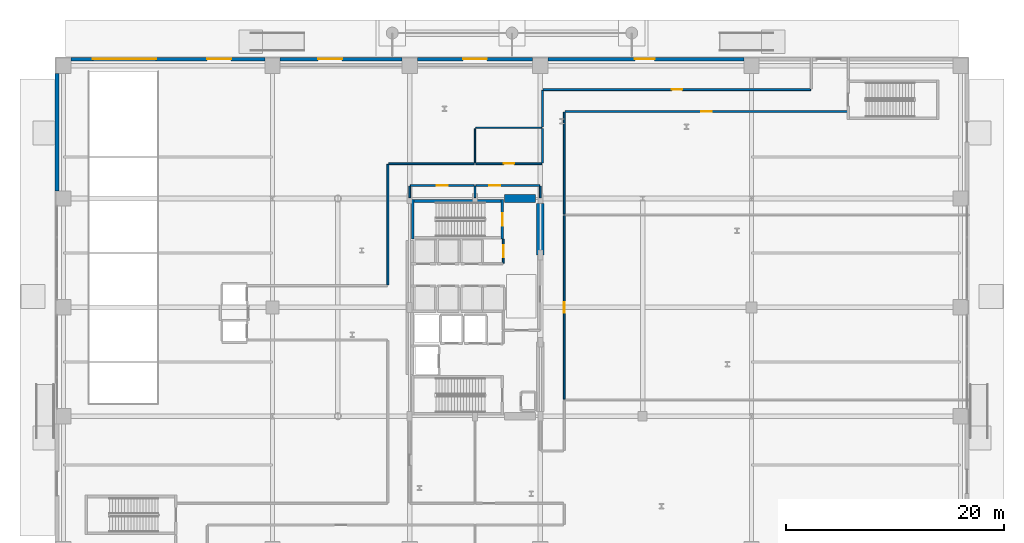
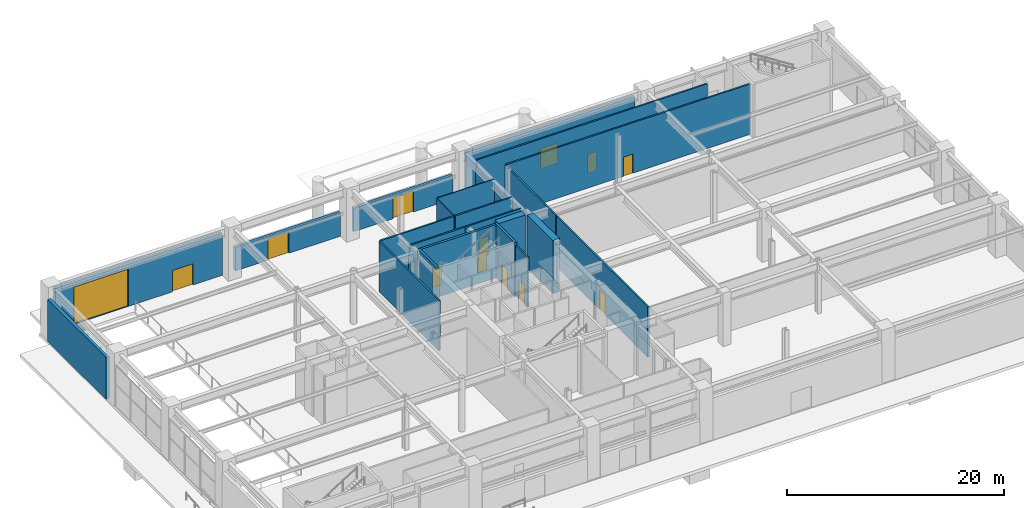
# One storey, part 22 of 31: 27 walls, 13 doors, 13 openings.
"""IFC4 building model written with IfcOpenShell, lengths in metres."""

from ifc_helpers import new_model, si_unit, direction, frame, frame_2d, origin, place, context, subcontext, project, spatial, rectangle, extrude, material, layer, layer_set, type_object, element, fill, save


model = new_model("IFC4")

# Units and contexts
model_context = context("Model", 3, precision=1e-05, world=origin(), true_north=direction((0.0, 1.0)))
body_context = subcontext(model_context, "Body", "Model", "MODEL_VIEW")
ifc_project = project(units=[si_unit("LENGTHUNIT", "METRE"), si_unit("AREAUNIT", "SQUARE_METRE"), si_unit("VOLUMEUNIT", "CUBIC_METRE"), si_unit("PLANEANGLEUNIT", "RADIAN"), si_unit("MASSUNIT", "GRAM", prefix="KILO")], contexts=[model_context])

# Site, building, storey
site_placement = place(None, origin())
site = spatial("IfcSite", under=ifc_project, at=site_placement, CompositionType="ELEMENT")
building_placement = place(site_placement, origin())
building = spatial("IfcBuilding", under=site, at=building_placement, Name="Soratama Intermodal Tower", CompositionType="ELEMENT")
storey_placement = place(building_placement, origin())
storey = spatial("IfcBuildingStorey", under=building, at=storey_placement, Name="L00", CompositionType="ELEMENT", Elevation=0.0)

# Wall, openings, doors
ifc_material_1 = material(Name="Concrete f'c 42 MPa", Category="concrete")
ifc_layer_1 = layer(ifc_material_1, 0.340087890625)
ifc_layer_set_1 = layer_set([ifc_layer_1], Name="Concrete f'c 42 MPa")
wall_type_1 = type_object("IfcWallType", Name="EW-STONE-340", PredefinedType="SOLIDWALL", material=ifc_layer_set_1)
wall_1_placement = place(storey_placement, frame((1.5, 47.800048828125, 0.0), z_axis=(0.0, 0.0, 1.0), x_axis=(1.0, 0.0, 0.0)))
wall_1 = element("IfcWall", 1, at=wall_1_placement, inside=storey, type_object=wall_type_1, Name="L00 North West Facade Wall", PredefinedType="SOLIDWALL", context=body_context, shape_type="SweptSolid", body=[
    extrude(rectangle(XDim=17.800048828125, YDim=0.340087890625, at=frame_2d((8.89990234375, 0.0))), origin(), (0.0, 0.0, 1.0), 4.736083984375),
])
opening_1_placement = place(wall_1_placement, frame((2.0, 0.0, 0.0)))
opening_1 = element("IfcOpeningElement", 2, at=opening_1_placement, cuts=wall_1, Name="Opening VG-1", PredefinedType="OPENING", context=body_context, shape_type="SweptSolid", body=[
    extrude(rectangle(XDim=5.800048828125, YDim=4.199951171875, at=frame_2d((2.89990234375, 2.10009765625))), frame((0.0, 0.179931640625, 0.0), z_axis=(0.0, -1.0, 0.0), x_axis=(1.0, 0.0, 0.0)), (0.0, 0.0, 1.0), 0.360107421875),
])
opening_2_placement = place(wall_1_placement, frame((12.5, 0.0, 0.0)))
opening_2 = element("IfcOpeningElement", 3, at=opening_2_placement, cuts=wall_1, Name="Opening ED-1", PredefinedType="OPENING", context=body_context, shape_type="SweptSolid", body=[
    extrude(rectangle(XDim=2.199951171875, YDim=2.39990234375, at=frame_2d((1.10009765625, 1.199951171875))), frame((0.0, 0.179931640625, 0.0), z_axis=(0.0, -1.0, 0.0), x_axis=(1.0, 0.0, 0.0)), (0.0, 0.0, 1.0), 0.360107421875),
])
ifc_material_2 = material(Name="Double-glazed aluminium door", Category="aluminium")
door_type_1 = type_object("IfcDoorType", Name="DR-EXIT-2200", OperationType="NOTDEFINED", PredefinedType="DOOR", material=ifc_material_2)
door_1_placement = place(opening_2_placement, origin())
door_1 = element("IfcDoor", 4, at=door_1_placement, inside=storey, type_object=door_type_1, Name="L00 North Concourse Exit Door 1", OperationType="SINGLE_SWING_LEFT", OverallHeight=2.39990234375, OverallWidth=2.199951171875, PredefinedType="DOOR", context=body_context, shape_type="SweptSolid", body=[
    extrude(rectangle(XDim=2.199951171875, YDim=2.39990234375, at=frame_2d((1.10009765625, 1.199951171875))), frame((0.0, 0.02490234375, 0.0), z_axis=(0.0, -1.0, 0.0), x_axis=(1.0, 0.0, 0.0)), (0.0, 0.0, 1.0), 0.050048828125),
])
fill(opening_2, door_1)
ifc_material_3 = material(Name="Insulated steel roller shutter", Category="steel")
door_type_2 = type_object("IfcDoorType", Name="DR-VEH-GATE", OperationType="NOTDEFINED", PredefinedType="GATE", material=ifc_material_3)
door_2_placement = place(opening_1_placement, origin())
door_2 = element("IfcDoor", 5, at=door_2_placement, inside=storey, type_object=door_type_2, Name="L00 Servicing Ramp Shutter Gate VG-01", OperationType="SINGLE_SWING_LEFT", OverallHeight=4.199951171875, OverallWidth=5.800048828125, PredefinedType="GATE", context=body_context, shape_type="SweptSolid", body=[
    extrude(rectangle(XDim=5.800048828125, YDim=4.199951171875, at=frame_2d((2.89990234375, 2.10009765625))), frame((0.0, 0.02490234375, 0.0), z_axis=(0.0, -1.0, 0.0), x_axis=(1.0, 0.0, 0.0)), (0.0, 0.0, 1.0), 0.050048828125),
])
fill(opening_1, door_2)

# Wall, opening, door
wall_2_placement = place(storey_placement, frame((20.699951171875, 47.800048828125, 0.0), z_axis=(0.0, 0.0, 1.0), x_axis=(1.0, 0.0, 0.0)))
wall_2 = element("IfcWall", 6, at=wall_2_placement, inside=storey, type_object=wall_type_1, Name="L00 North Mid-West Facade Wall", PredefinedType="SOLIDWALL", context=body_context, shape_type="SweptSolid", body=[
    extrude(rectangle(XDim=11.199951171875, YDim=0.340087890625, at=frame_2d((5.60009765625, 0.0))), origin(), (0.0, 0.0, 1.0), 2.639892578125),
])
opening_3_placement = place(wall_2_placement, frame((3.5, 0.0, 0.0)))
opening_3 = element("IfcOpeningElement", 7, at=opening_3_placement, cuts=wall_2, Name="Opening ED-1", PredefinedType="OPENING", context=body_context, shape_type="SweptSolid", body=[
    extrude(rectangle(XDim=2.199951171875, YDim=2.39990234375, at=frame_2d((1.10009765625, 1.199951171875))), frame((0.0, 0.179931640625, 0.0), z_axis=(0.0, -1.0, 0.0), x_axis=(1.0, 0.0, 0.0)), (0.0, 0.0, 1.0), 0.360107421875),
])
door_3_placement = place(opening_3_placement, origin())
door_3 = element("IfcDoor", 8, at=door_3_placement, inside=storey, type_object=door_type_1, Name="L00 North Concourse Exit Door 2", OperationType="SINGLE_SWING_LEFT", OverallHeight=2.39990234375, OverallWidth=2.199951171875, PredefinedType="DOOR", context=body_context, shape_type="SweptSolid", body=[
    extrude(rectangle(XDim=2.199951171875, YDim=2.39990234375, at=frame_2d((1.10009765625, 1.199951171875))), frame((0.0, 0.02490234375, 0.0), z_axis=(0.0, -1.0, 0.0), x_axis=(1.0, 0.0, 0.0)), (0.0, 0.0, 1.0), 0.050048828125),
])
fill(opening_3, door_3)

wall_3_placement = place(storey_placement, frame((33.300048828125, 47.800048828125, 0.0), z_axis=(0.0, 0.0, 1.0), x_axis=(1.0, 0.0, 0.0)))
wall_3 = element("IfcWall", 9, at=wall_3_placement, inside=storey, type_object=wall_type_1, Name="L00 North Main Entrance Wall", PredefinedType="SOLIDWALL", context=body_context, shape_type="SweptSolid", body=[
    extrude(rectangle(XDim=10.599853515625, YDim=0.340087890625, at=frame_2d((5.2998046875, 0.0))), origin(), (0.0, 0.0, 1.0), 2.639892578125),
])
opening_4_placement = place(wall_3_placement, frame((4.199951171875, 0.0, 0.0)))
opening_4 = element("IfcOpeningElement", 10, at=opening_4_placement, cuts=wall_3, Name="Opening ED-1", PredefinedType="OPENING", context=body_context, shape_type="SweptSolid", body=[
    extrude(rectangle(XDim=2.199951171875, YDim=2.39990234375, at=frame_2d((1.10009765625, 1.199951171875))), frame((0.0, 0.179931640625, 0.0), z_axis=(0.0, -1.0, 0.0), x_axis=(1.0, 0.0, 0.0)), (0.0, 0.0, 1.0), 0.360107421875),
])
door_4_placement = place(opening_4_placement, origin())
door_4 = element("IfcDoor", 11, at=door_4_placement, inside=storey, type_object=door_type_1, Name="L00 Tower Main Entrance Door", OperationType="SINGLE_SWING_LEFT", OverallHeight=2.39990234375, OverallWidth=2.199951171875, PredefinedType="DOOR", context=body_context, shape_type="SweptSolid", body=[
    extrude(rectangle(XDim=2.199951171875, YDim=2.39990234375, at=frame_2d((1.10009765625, 1.199951171875))), frame((0.0, 0.02490234375, 0.0), z_axis=(0.0, -1.0, 0.0), x_axis=(1.0, 0.0, 0.0)), (0.0, 0.0, 1.0), 0.050048828125),
])
fill(opening_4, door_4)

wall_4_placement = place(storey_placement, frame((45.300048828125, 47.800048828125, 0.0), z_axis=(0.0, 0.0, 1.0), x_axis=(1.0, 0.0, 0.0)))
wall_4 = element("IfcWall", 12, at=wall_4_placement, inside=storey, type_object=wall_type_1, Name="L00 North Retail Facade Wall", PredefinedType="SOLIDWALL", context=body_context, shape_type="SweptSolid", body=[
    extrude(rectangle(XDim=18.0, YDim=0.340087890625, at=frame_2d((9.0, 0.0))), origin(), (0.0, 0.0, 1.0), 4.736083984375),
])
opening_5_placement = place(wall_4_placement, frame((8.0, 0.0, 0.0)))
opening_5 = element("IfcOpeningElement", 13, at=opening_5_placement, cuts=wall_4, Name="Opening ED-4", PredefinedType="OPENING", context=body_context, shape_type="SweptSolid", body=[
    extrude(rectangle(XDim=1.800048828125, YDim=2.300048828125, at=frame_2d((0.89990234375, 1.14990234375))), frame((0.0, 0.179931640625, 0.0), z_axis=(0.0, -1.0, 0.0), x_axis=(1.0, 0.0, 0.0)), (0.0, 0.0, 1.0), 0.360107421875),
])
ifc_material_4 = material(Name="Double-glazed aluminium door", Category="aluminium")
door_type_3 = type_object("IfcDoorType", Name="DR-EXIT-1800", OperationType="NOTDEFINED", PredefinedType="DOOR", material=ifc_material_4)
door_5_placement = place(opening_5_placement, origin())
door_5 = element("IfcDoor", 14, at=door_5_placement, inside=storey, type_object=door_type_3, Name="L00 North Boutique Entrance Door", OperationType="SINGLE_SWING_LEFT", OverallHeight=2.300048828125, OverallWidth=1.800048828125, PredefinedType="DOOR", context=body_context, shape_type="SweptSolid", body=[
    extrude(rectangle(XDim=1.800048828125, YDim=2.300048828125, at=frame_2d((0.89990234375, 1.14990234375))), frame((0.0, 0.02490234375, 0.0), z_axis=(0.0, -1.0, 0.0), x_axis=(1.0, 0.0, 0.0)), (0.0, 0.0, 1.0), 0.050048828125),
])
fill(opening_5, door_5)

# Wall
wall_5_placement = place(storey_placement, frame((0.199951171875, 35.699951171875, 0.0), z_axis=(0.0, 0.0, 1.0), x_axis=(0.0, 1.0, 0.0)))
element("IfcWall", 15, at=wall_5_placement, inside=storey, type_object=wall_type_1, Name="L00 West North Wall", PredefinedType="SOLIDWALL", context=body_context, shape_type="SweptSolid", body=[
    extrude(rectangle(XDim=10.800048828125, YDim=0.340087890625, at=frame_2d((5.39990234375, 0.0))), origin(), (0.0, 0.0, 1.0), 4.736083984375),
])

# Wall, opening, door
ifc_material_5 = material(Name="Fire-rated gypsum stud partition", Category="concrete")
ifc_layer_2 = layer(ifc_material_5, 0.169921875)
ifc_layer_set_2 = layer_set([ifc_layer_2], Name="Fire-rated gypsum stud partition")
wall_type_2 = type_object("IfcWallType", Name="IW-PART-R170", PredefinedType="PARTITIONING", material=ifc_layer_set_2)
wall_6_placement = place(storey_placement, frame((72.8798828125, 43.0, 0.0), z_axis=(0.0, 0.0, 1.0), x_axis=(-1.0, 0.0, 0.0)))
wall_6 = element("IfcWall", 16, at=wall_6_placement, inside=storey, type_object=wall_type_2, Name="L00 Partition W-L00-TP003", PredefinedType="PARTITIONING", context=body_context, shape_type="SweptSolid", body=[
    extrude(rectangle(XDim=26.009765625, YDim=0.169921875, at=frame_2d((13.0048828125, 0.0))), origin(), (0.0, 0.0, 1.0), 5.679931640625),
])
opening_6_placement = place(wall_6_placement, frame((12.530029296875, 0.0, 0.0)))
opening_6 = element("IfcOpeningElement", 17, at=opening_6_placement, cuts=wall_6, Name="Opening ID-5", PredefinedType="OPENING", context=body_context, shape_type="SweptSolid", body=[
    extrude(rectangle(XDim=0.97998046875, YDim=2.14990234375, at=frame_2d((0.489990234375, 1.074951171875))), frame((0.0, 0.094970703125, 0.0), z_axis=(0.0, -1.0, 0.0), x_axis=(1.0, 0.0, 0.0)), (0.0, 0.0, 1.0), 0.18994140625),
])
ifc_material_6 = material(Name="Solid hardwood acoustic door", Category="wood")
door_type_4 = type_object("IfcDoorType", Name="DR-OFF-980", OperationType="NOTDEFINED", PredefinedType="DOOR", material=ifc_material_6)
door_6_placement = place(opening_6_placement, origin())
door_6 = element("IfcDoor", 18, at=door_6_placement, inside=storey, type_object=door_type_4, Name="L00 Door D-L00-TP001", OperationType="SINGLE_SWING_RIGHT", OverallHeight=2.14990234375, OverallWidth=0.97998046875, PredefinedType="DOOR", context=body_context, shape_type="SweptSolid", body=[
    extrude(rectangle(XDim=0.97998046875, YDim=2.14990234375, at=frame_2d((0.489990234375, 1.074951171875))), frame((0.0, 0.02490234375, 0.0), z_axis=(0.0, -1.0, 0.0), x_axis=(1.0, 0.0, 0.0)), (0.0, 0.0, 1.0), 0.050048828125),
])
fill(opening_6, door_6)

wall_7_placement = place(storey_placement, frame((44.8701171875, 45.0, 0.0), z_axis=(0.0, 0.0, 1.0), x_axis=(1.0, 0.0, 0.0)))
wall_7 = element("IfcWall", 19, at=wall_7_placement, inside=storey, type_object=wall_type_2, Name="L00 Partition W-L00-TP004", PredefinedType="PARTITIONING", context=body_context, shape_type="SweptSolid", body=[
    extrude(rectangle(XDim=24.559814453125, YDim=0.169921875, at=frame_2d((12.27978515625, 0.0))), origin(), (0.0, 0.0, 1.0), 5.679931640625),
])
opening_7_placement = place(wall_7_placement, frame((11.804931640625, 0.0, 0.0)))
opening_7 = element("IfcOpeningElement", 20, at=opening_7_placement, cuts=wall_7, Name="Opening ID-5", PredefinedType="OPENING", context=body_context, shape_type="SweptSolid", body=[
    extrude(rectangle(XDim=0.97998046875, YDim=2.14990234375, at=frame_2d((0.489990234375, 1.074951171875))), frame((0.0, 0.094970703125, 0.0), z_axis=(0.0, -1.0, 0.0), x_axis=(1.0, 0.0, 0.0)), (0.0, 0.0, 1.0), 0.18994140625),
])
door_7_placement = place(opening_7_placement, origin())
door_7 = element("IfcDoor", 21, at=door_7_placement, inside=storey, type_object=door_type_4, Name="L00 Door D-L00-TP002", OperationType="SINGLE_SWING_LEFT", OverallHeight=2.14990234375, OverallWidth=0.97998046875, PredefinedType="DOOR", context=body_context, shape_type="SweptSolid", body=[
    extrude(rectangle(XDim=0.97998046875, YDim=2.14990234375, at=frame_2d((0.489990234375, 1.074951171875))), frame((0.0, 0.02490234375, 0.0), z_axis=(0.0, -1.0, 0.0), x_axis=(1.0, 0.0, 0.0)), (0.0, 0.0, 1.0), 0.050048828125),
])
fill(opening_7, door_7)

wall_8_placement = place(storey_placement, frame((46.800048828125, 33.429931640625, 0.0), z_axis=(0.0, 0.0, 1.0), x_axis=(0.0, -1.0, 0.0)))
wall_8 = element("IfcWall", 22, at=wall_8_placement, inside=storey, type_object=wall_type_2, Name="L00 Partition W-L00-TP007", PredefinedType="PARTITIONING", context=body_context, shape_type="SweptSolid", body=[
    extrude(rectangle(XDim=16.85986328125, YDim=0.169921875, at=frame_2d((8.429931640625, 0.0))), origin(), (0.0, 0.0, 1.0), 5.679931640625),
])
opening_8_placement = place(wall_8_placement, frame((7.955078125, 0.0, 0.0)))
opening_8 = element("IfcOpeningElement", 23, at=opening_8_placement, cuts=wall_8, Name="Opening ID-5", PredefinedType="OPENING", context=body_context, shape_type="SweptSolid", body=[
    extrude(rectangle(XDim=0.97998046875, YDim=2.14990234375, at=frame_2d((0.489990234375, 1.074951171875))), frame((0.0, 0.094970703125, 0.0), z_axis=(0.0, -1.0, 0.0), x_axis=(1.0, 0.0, 0.0)), (0.0, 0.0, 1.0), 0.18994140625),
])
door_8_placement = place(opening_8_placement, origin())
door_8 = element("IfcDoor", 24, at=door_8_placement, inside=storey, type_object=door_type_4, Name="L00 Door D-L00-TP004", OperationType="SINGLE_SWING_LEFT", OverallHeight=2.14990234375, OverallWidth=0.97998046875, PredefinedType="DOOR", context=body_context, shape_type="SweptSolid", body=[
    extrude(rectangle(XDim=0.97998046875, YDim=2.14990234375, at=frame_2d((0.489990234375, 1.074951171875))), frame((0.0, 0.02490234375, 0.0), z_axis=(0.0, -1.0, 0.0), x_axis=(1.0, 0.0, 0.0)), (0.0, 0.0, 1.0), 0.050048828125),
])
fill(opening_8, door_8)

# Walls
wall_9_placement = place(storey_placement, frame((30.60009765625, 27.070068359375, 0.0), z_axis=(0.0, 0.0, 1.0), x_axis=(0.0, 1.0, 0.0)))
element("IfcWall", 25, at=wall_9_placement, inside=storey, type_object=wall_type_2, Name="L00 Partition W-L00-TP011", PredefinedType="PARTITIONING", context=body_context, shape_type="SweptSolid", body=[
    extrude(rectangle(XDim=11.059814453125, YDim=0.169921875, at=frame_2d((5.52978515625, 0.0))), origin(), (0.0, 0.0, 1.0), 5.679931640625),
])
wall_10_placement = place(storey_placement, frame((46.800048828125, 42.929931640625, 0.0), z_axis=(0.0, 0.0, 1.0), x_axis=(0.0, -1.0, 0.0)))
element("IfcWall", 26, at=wall_10_placement, inside=storey, type_object=wall_type_2, Name="L00 Partition W-L00-TP012", PredefinedType="PARTITIONING", context=body_context, shape_type="SweptSolid", body=[
    extrude(rectangle(XDim=9.35986328125, YDim=0.169921875, at=frame_2d((4.679931640625, 0.0))), origin(), (0.0, 0.0, 1.0), 5.679931640625),
])
wall_11_placement = place(storey_placement, frame((30.669921875, 38.199951171875, 0.0), z_axis=(0.0, 0.0, 1.0), x_axis=(1.0, 0.0, 0.0)))
element("IfcWall", 27, at=wall_11_placement, inside=storey, type_object=wall_type_2, Name="L00 Partition W-L00-TP016", PredefinedType="PARTITIONING", context=body_context, shape_type="SweptSolid", body=[
    extrude(rectangle(XDim=7.860107421875, YDim=0.169921875, at=frame_2d((3.93017578125, 0.0))), origin(), (0.0, 0.0, 1.0), 5.679931640625),
])

# Wall, opening, door
wall_12_placement = place(storey_placement, frame((38.669921875, 38.199951171875, 0.0), z_axis=(0.0, 0.0, 1.0), x_axis=(1.0, 0.0, 0.0)))
wall_12 = element("IfcWall", 28, at=wall_12_placement, inside=storey, type_object=wall_type_2, Name="L00 Partition W-L00-TP019", PredefinedType="PARTITIONING", context=body_context, shape_type="SweptSolid", body=[
    extrude(rectangle(XDim=6.06005859375, YDim=0.169921875, at=frame_2d((3.030029296875, 0.0))), origin(), (0.0, 0.0, 1.0), 5.679931640625),
])
opening_9_placement = place(wall_12_placement, frame((2.554931640625, 0.0, 0.0)))
opening_9 = element("IfcOpeningElement", 29, at=opening_9_placement, cuts=wall_12, Name="Opening ID-5", PredefinedType="OPENING", context=body_context, shape_type="SweptSolid", body=[
    extrude(rectangle(XDim=0.97998046875, YDim=2.14990234375, at=frame_2d((0.489990234375, 1.074951171875))), frame((0.0, 0.094970703125, 0.0), z_axis=(0.0, -1.0, 0.0), x_axis=(1.0, 0.0, 0.0)), (0.0, 0.0, 1.0), 0.18994140625),
])
door_9_placement = place(opening_9_placement, origin())
door_9 = element("IfcDoor", 30, at=door_9_placement, inside=storey, type_object=door_type_4, Name="L00 Door D-L00-TP008", OperationType="SINGLE_SWING_LEFT", OverallHeight=2.14990234375, OverallWidth=0.97998046875, PredefinedType="DOOR", context=body_context, shape_type="SweptSolid", body=[
    extrude(rectangle(XDim=0.97998046875, YDim=2.14990234375, at=frame_2d((0.489990234375, 1.074951171875))), frame((0.0, 0.02490234375, 0.0), z_axis=(0.0, -1.0, 0.0), x_axis=(1.0, 0.0, 0.0)), (0.0, 0.0, 1.0), 0.050048828125),
])
fill(opening_9, door_9)

wall_13_placement = place(storey_placement, frame((38.530029296875, 36.199951171875, 0.0), z_axis=(0.0, 0.0, 1.0), x_axis=(-1.0, 0.0, 0.0)))
wall_13 = element("IfcWall", 31, at=wall_13_placement, inside=storey, type_object=wall_type_2, Name="L00 Partition W-L00-TP022", PredefinedType="PARTITIONING", context=body_context, shape_type="SweptSolid", body=[
    extrude(rectangle(XDim=5.860107421875, YDim=0.169921875, at=frame_2d((2.93017578125, 0.0))), origin(), (0.0, 0.0, 1.0), 5.679931640625),
])
opening_10_placement = place(wall_13_placement, frame((2.455078125, 0.0, 0.0)))
opening_10 = element("IfcOpeningElement", 32, at=opening_10_placement, cuts=wall_13, Name="Opening ID-5", PredefinedType="OPENING", context=body_context, shape_type="SweptSolid", body=[
    extrude(rectangle(XDim=0.97998046875, YDim=2.14990234375, at=frame_2d((0.489990234375, 1.074951171875))), frame((0.0, 0.094970703125, 0.0), z_axis=(0.0, -1.0, 0.0), x_axis=(1.0, 0.0, 0.0)), (0.0, 0.0, 1.0), 0.18994140625),
])
door_10_placement = place(opening_10_placement, origin())
door_10 = element("IfcDoor", 33, at=door_10_placement, inside=storey, type_object=door_type_4, Name="L00 Door D-L00-TP009", OperationType="SINGLE_SWING_RIGHT", OverallHeight=2.14990234375, OverallWidth=0.97998046875, PredefinedType="DOOR", context=body_context, shape_type="SweptSolid", body=[
    extrude(rectangle(XDim=0.97998046875, YDim=2.14990234375, at=frame_2d((0.489990234375, 1.074951171875))), frame((0.0, 0.02490234375, 0.0), z_axis=(0.0, -1.0, 0.0), x_axis=(1.0, 0.0, 0.0)), (0.0, 0.0, 1.0), 0.050048828125),
])
fill(opening_10, door_10)

wall_14_placement = place(storey_placement, frame((44.530029296875, 36.199951171875, 0.0), z_axis=(0.0, 0.0, 1.0), x_axis=(-1.0, 0.0, 0.0)))
wall_14 = element("IfcWall", 34, at=wall_14_placement, inside=storey, type_object=wall_type_2, Name="L00 Partition W-L00-TP023", PredefinedType="PARTITIONING", context=body_context, shape_type="SweptSolid", body=[
    extrude(rectangle(XDim=5.860107421875, YDim=0.169921875, at=frame_2d((2.93017578125, 0.0))), origin(), (0.0, 0.0, 1.0), 5.679931640625),
])
opening_11_placement = place(wall_14_placement, frame((3.626953125, 0.0, 0.0)))
opening_11 = element("IfcOpeningElement", 35, at=opening_11_placement, cuts=wall_14, Name="Opening ID-5", PredefinedType="OPENING", context=body_context, shape_type="SweptSolid", body=[
    extrude(rectangle(XDim=0.97998046875, YDim=2.14990234375, at=frame_2d((0.489990234375, 1.074951171875))), frame((0.0, 0.094970703125, 0.0), z_axis=(0.0, -1.0, 0.0), x_axis=(1.0, 0.0, 0.0)), (0.0, 0.0, 1.0), 0.18994140625),
])
door_11_placement = place(opening_11_placement, origin())
door_11 = element("IfcDoor", 36, at=door_11_placement, inside=storey, type_object=door_type_4, Name="L00 Door D-L00-TP010", OperationType="SINGLE_SWING_LEFT", OverallHeight=2.14990234375, OverallWidth=0.97998046875, PredefinedType="DOOR", context=body_context, shape_type="SweptSolid", body=[
    extrude(rectangle(XDim=0.97998046875, YDim=2.14990234375, at=frame_2d((0.489990234375, 1.074951171875))), frame((0.0, 0.02490234375, 0.0), z_axis=(0.0, -1.0, 0.0), x_axis=(1.0, 0.0, 0.0)), (0.0, 0.0, 1.0), 0.050048828125),
])
fill(opening_11, door_11)

# Walls
wall_15_placement = place(storey_placement, frame((44.800048828125, 41.570068359375, 0.0), z_axis=(0.0, 0.0, 1.0), x_axis=(0.0, 1.0, 0.0)))
element("IfcWall", 37, at=wall_15_placement, inside=storey, type_object=wall_type_2, Name="L00 Partition W-L00-TP025", PredefinedType="PARTITIONING", context=body_context, shape_type="SweptSolid", body=[
    extrude(rectangle(XDim=3.35986328125, YDim=0.169921875, at=frame_2d((1.679931640625, 0.0))), origin(), (0.0, 0.0, 1.0), 4.802001953125),
])
wall_16_placement = place(storey_placement, frame((44.800048828125, 38.27001953125, 0.0), z_axis=(0.0, 0.0, 1.0), x_axis=(0.0, 1.0, 0.0)))
element("IfcWall", 38, at=wall_16_placement, inside=storey, type_object=wall_type_2, Name="L00 Partition W-L00-TP027", PredefinedType="PARTITIONING", context=body_context, shape_type="SweptSolid", body=[
    extrude(rectangle(XDim=3.159912109375, YDim=0.169921875, at=frame_2d((1.580078125, 0.0))), origin(), (0.0, 0.0, 1.0), 4.802001953125),
])

# Wall, opening, door
wall_17_placement = place(storey_placement, frame((41.199951171875, 29.070068359375, 0.0), z_axis=(0.0, 0.0, 1.0), x_axis=(0.0, 1.0, 0.0)))
wall_17 = element("IfcWall", 39, at=wall_17_placement, inside=storey, type_object=wall_type_2, Name="L00 Partition W-L00-TP033", PredefinedType="PARTITIONING", context=body_context, shape_type="SweptSolid", body=[
    extrude(rectangle(XDim=2.18994140625, YDim=0.169921875, at=frame_2d((1.094970703125, 0.0))), origin(), (0.0, 0.0, 1.0), 5.679931640625),
])
opening_12_placement = place(wall_17_placement, frame((0.554931640625, 0.0, 0.0)))
opening_12 = element("IfcOpeningElement", 40, at=opening_12_placement, cuts=wall_17, Name="Opening ID-1", PredefinedType="OPENING", context=body_context, shape_type="SweptSolid", body=[
    extrude(rectangle(XDim=1.080078125, YDim=2.14990234375, at=frame_2d((0.5400390625, 1.074951171875))), frame((0.0, 0.094970703125, 0.0), z_axis=(0.0, -1.0, 0.0), x_axis=(1.0, 0.0, 0.0)), (0.0, 0.0, 1.0), 0.18994140625),
])
ifc_material_7 = material(Name="Solid hardwood acoustic door", Category="wood")
door_type_5 = type_object("IfcDoorType", Name="DR-LOB-FD60", OperationType="NOTDEFINED", PredefinedType="DOOR", material=ifc_material_7)
door_12_placement = place(opening_12_placement, origin())
door_12 = element("IfcDoor", 41, at=door_12_placement, inside=storey, type_object=door_type_5, Name="L00 Door D-L00-TP012", OperationType="SINGLE_SWING_LEFT", OverallHeight=2.14990234375, OverallWidth=1.080078125, PredefinedType="DOOR", context=body_context, shape_type="SweptSolid", body=[
    extrude(rectangle(XDim=1.080078125, YDim=2.14990234375, at=frame_2d((0.5400390625, 1.074951171875))), frame((0.0, 0.02490234375, 0.0), z_axis=(0.0, -1.0, 0.0), x_axis=(1.0, 0.0, 0.0)), (0.0, 0.0, 1.0), 0.050048828125),
])
fill(opening_12, door_12)

# Walls
for number, where, z_axis, x_axis, name in (
    (42, (32.60009765625, 36.1298828125, 0.0), (0.0, 0.0, 1.0), (0.0, -1.0, 0.0), "L00 Partition W-L00-TP044"),
    (43, (44.60009765625, 35.070068359375, 0.0), (0.0, 0.0, 1.0), (0.0, 1.0, 0.0), "L00 Partition W-L00-TP045"),
):
    element("IfcWall", number, at=place(storey_placement, frame(where, z_axis=z_axis, x_axis=x_axis)), inside=storey, type_object=wall_type_2, Name=name, PredefinedType="PARTITIONING", context=body_context, shape_type="SweptSolid", body=[
        extrude(rectangle(XDim=1.059814453125, YDim=0.169921875, at=frame_2d((0.52978515625, 0.0))), origin(), (0.0, 0.0, 1.0), 4.802001953125),
    ])
ifc_material_8 = material(Name="Fire-rated gypsum stud partition", Category="concrete")
ifc_layer_3 = layer(ifc_material_8, 0.10009765625)
ifc_layer_set_3 = layer_set([ifc_layer_3], Name="Fire-rated gypsum stud partition")
wall_type_3 = type_object("IfcWallType", Name="IW-PART-S100", PredefinedType="PARTITIONING", material=ifc_layer_set_3)
wall_18_placement = place(storey_placement, frame((44.72998046875, 41.5, 0.0), z_axis=(0.0, 0.0, 1.0), x_axis=(-1.0, 0.0, 0.0)))
element("IfcWall", 44, at=wall_18_placement, inside=storey, type_object=wall_type_3, Name="L00 Partition W-L00-TP020", PredefinedType="PARTITIONING", context=body_context, shape_type="SweptSolid", body=[
    extrude(rectangle(XDim=6.06005859375, YDim=0.10009765625, at=frame_2d((3.030029296875, 0.0))), origin(), (0.0, 0.0, 1.0), 5.679931640625),
])
ifc_material_9 = material(Name="Fire-rated gypsum stud partition", Category="concrete")
ifc_layer_4 = layer(ifc_material_9, 0.1201171875)
ifc_layer_set_4 = layer_set([ifc_layer_4], Name="Fire-rated gypsum stud partition")
wall_type_4 = type_object("IfcWallType", Name="IW-PART-S120", PredefinedType="PARTITIONING", material=ifc_layer_set_4)
wall_19_placement = place(storey_placement, frame((38.60009765625, 41.429931640625, 0.0), z_axis=(0.0, 0.0, 1.0), x_axis=(0.0, -1.0, 0.0)))
element("IfcWall", 45, at=wall_19_placement, inside=storey, type_object=wall_type_4, Name="L00 Partition W-L00-TP028", PredefinedType="PARTITIONING", context=body_context, shape_type="SweptSolid", body=[
    extrude(rectangle(XDim=3.159912109375, YDim=0.1201171875, at=frame_2d((1.580078125, 0.0))), origin(), (0.0, 0.0, 1.0), 5.679931640625),
])
ifc_material_10 = material(Name="Fire-rated gypsum stud partition", Category="concrete")
ifc_layer_5 = layer(ifc_material_10, 0.139892578125)
ifc_layer_set_5 = layer_set([ifc_layer_5], Name="Fire-rated gypsum stud partition")
wall_type_5 = type_object("IfcWallType", Name="IW-PART-S140", PredefinedType="PARTITIONING", material=ifc_layer_set_5)
wall_20_placement = place(storey_placement, frame((38.60009765625, 36.1298828125, 0.0), z_axis=(0.0, 0.0, 1.0), x_axis=(0.0, -1.0, 0.0)))
element("IfcWall", 46, at=wall_20_placement, inside=storey, type_object=wall_type_5, Name="L00 Partition W-L00-TP046", PredefinedType="PARTITIONING", context=body_context, shape_type="SweptSolid", body=[
    extrude(rectangle(XDim=1.059814453125, YDim=0.139892578125, at=frame_2d((0.52978515625, 0.0))), origin(), (0.0, 0.0, 1.0), 5.679931640625),
])
ifc_material_11 = material(Name="Concrete f'c 56 MPa", Category="concrete")
ifc_layer_6 = layer(ifc_material_11, 0.699951171875)
ifc_layer_set_6 = layer_set([ifc_layer_6], Name="Concrete f'c 56 MPa")
wall_type_6 = type_object("IfcWallType", Name="SW-CORE-700", PredefinedType="SHEAR", material=ifc_layer_set_6)
wall_21_placement = place(storey_placement, frame((41.300048828125, 35.0, 0.0), z_axis=(0.0, 0.0, 1.0), x_axis=(1.0, 0.0, 0.0)))
element("IfcWall", 47, at=wall_21_placement, inside=storey, type_object=wall_type_6, Name="L00 Core Shear Wall CW-NE", PredefinedType="SHEAR", context=body_context, shape_type="SweptSolid", body=[
    extrude(rectangle(XDim=2.849853515625, YDim=0.699951171875, at=frame_2d((1.4248046875, 0.0))), origin(), (0.0, 0.0, 1.0), 6.0),
])
wall_22_placement = place(storey_placement, frame((44.60009765625, 29.800048828125, 0.0), z_axis=(0.0, 0.0, 1.0), x_axis=(0.0, 1.0, 0.0)))
element("IfcWall", 48, at=wall_22_placement, inside=storey, type_object=wall_type_6, Name="L00 Core Shear Wall CW-EN", PredefinedType="SHEAR", context=body_context, shape_type="SweptSolid", body=[
    extrude(rectangle(XDim=4.75, YDim=0.699951171875, at=frame_2d((2.375, 0.0))), origin(), (0.0, 0.0, 1.0), 6.0),
])
ifc_material_12 = material(Name="Concrete f'c 56 MPa", Category="concrete")
ifc_layer_7 = layer(ifc_material_12, 0.239990234375)
ifc_layer_set_7 = layer_set([ifc_layer_7], Name="Concrete f'c 56 MPa")
wall_type_7 = type_object("IfcWallType", Name="SW-STAIR-240", PredefinedType="SHEAR", material=ifc_layer_set_7)
wall_23_placement = place(storey_placement, frame((32.8798828125, 31.260009765625, 0.0), z_axis=(0.0, 0.0, 1.0), x_axis=(0.0, 1.0, 0.0)))
element("IfcWall", 49, at=wall_23_placement, inside=storey, type_object=wall_type_7, Name="L00 ST-2 Shaft Shear Wall W", PredefinedType="SHEAR", context=body_context, shape_type="SweptSolid", body=[
    extrude(rectangle(XDim=3.6298828125, YDim=0.239990234375, at=frame_2d((1.81494140625, 0.0))), origin(), (0.0, 0.0, 1.0), 6.0),
])

# Wall, opening, door
wall_24_placement = place(storey_placement, frame((41.1201171875, 31.260009765625, 0.0), z_axis=(0.0, 0.0, 1.0), x_axis=(0.0, 1.0, 0.0)))
wall_24 = element("IfcWall", 50, at=wall_24_placement, inside=storey, type_object=wall_type_7, Name="L00 ST-2 Shaft Shear Wall E", PredefinedType="SHEAR", context=body_context, shape_type="SweptSolid", body=[
    extrude(rectangle(XDim=3.6298828125, YDim=0.239990234375, at=frame_2d((1.81494140625, 0.0))), origin(), (0.0, 0.0, 1.0), 6.0),
])
opening_13_placement = place(wall_24_placement, frame((1.2548828125, 0.0, 0.0)))
opening_13 = element("IfcOpeningElement", 51, at=opening_13_placement, cuts=wall_24, Name="Opening SD-1", PredefinedType="OPENING", context=body_context, shape_type="SweptSolid", body=[
    extrude(rectangle(XDim=1.1201171875, YDim=2.14990234375, at=frame_2d((0.56005859375, 1.074951171875))), frame((0.0, 0.1298828125, 0.0), z_axis=(0.0, -1.0, 0.0), x_axis=(1.0, 0.0, 0.0)), (0.0, 0.0, 1.0), 0.260009765625),
])
ifc_material_13 = material(Name="Steel fire door", Category="steel")
door_type_6 = type_object("IfcDoorType", Name="DR-STAIR-FD90", OperationType="NOTDEFINED", PredefinedType="DOOR", material=ifc_material_13)
door_13_placement = place(opening_13_placement, origin())
door_13 = element("IfcDoor", 52, at=door_13_placement, inside=storey, type_object=door_type_6, Name="L00 ST-2 Exit Stair Door", OperationType="SINGLE_SWING_RIGHT", OverallHeight=2.14990234375, OverallWidth=1.1201171875, PredefinedType="DOOR", context=body_context, shape_type="SweptSolid", body=[
    extrude(rectangle(XDim=1.1201171875, YDim=2.14990234375, at=frame_2d((0.56005859375, 1.074951171875))), frame((0.0, 0.02490234375, 0.0), z_axis=(0.0, -1.0, 0.0), x_axis=(1.0, 0.0, 0.0)), (0.0, 0.0, 1.0), 0.050048828125),
])
fill(opening_13, door_13)

# Wall
wall_25_placement = place(storey_placement, frame((33.0, 34.77001953125, 0.0), z_axis=(0.0, 0.0, 1.0), x_axis=(1.0, 0.0, 0.0)))
element("IfcWall", 53, at=wall_25_placement, inside=storey, type_object=wall_type_7, Name="L00 ST-2 Shaft Shear Wall N", PredefinedType="SHEAR", context=body_context, shape_type="SweptSolid", body=[
    extrude(rectangle(XDim=8.0, YDim=0.239990234375, at=frame_2d((4.0, 0.0))), origin(), (0.0, 0.0, 1.0), 6.0),
])

save(model, "model.ifc")
